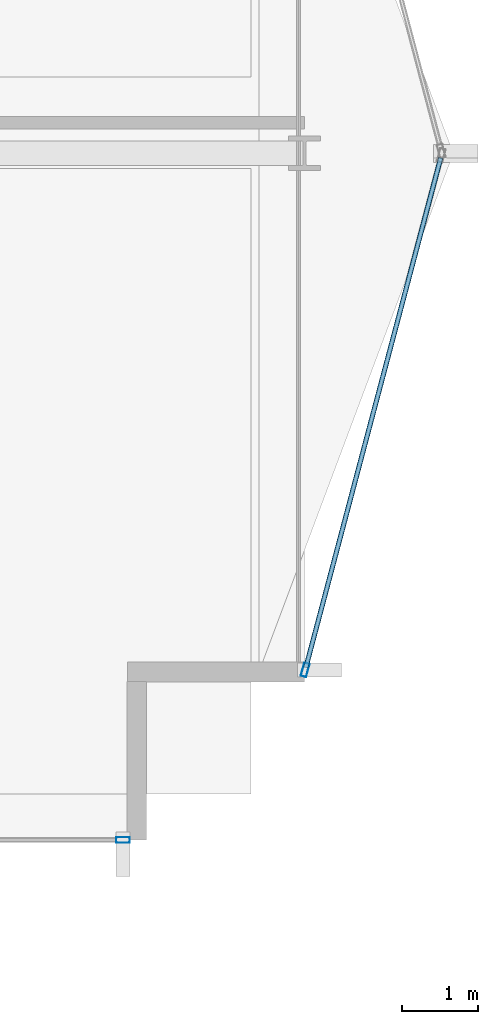
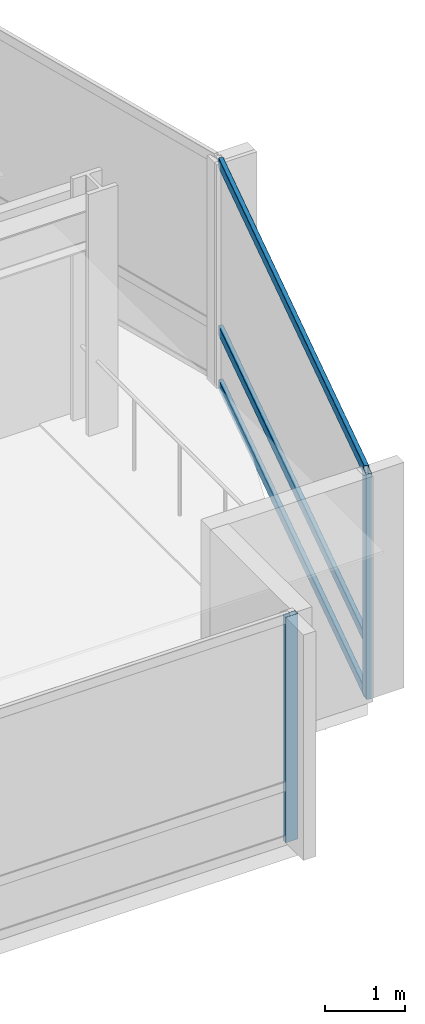
# One storey, part 11 of 28: 5 members, 2 elements without a shape of their own.
"""IFC4 building model written with IfcOpenShell, lengths in metres."""

from ifc_helpers import new_model, si_unit, direction, frame, origin, origin_2d, place, context, subcontext, project, spatial, hollow_rectangle, extrude, material, layer, layer_set, material_profile, profile_set, type_object, element, aggregate, save


model = new_model("IFC4")

# Units and contexts
model_context = context("Model", 3, precision=1e-05, world=origin(), true_north=direction((0.0, 1.0)))
body_context = subcontext(model_context, "Body", "Model", "MODEL_VIEW")
ifc_project = project(units=[si_unit("LENGTHUNIT", "METRE"), si_unit("AREAUNIT", "SQUARE_METRE"), si_unit("VOLUMEUNIT", "CUBIC_METRE"), si_unit("PLANEANGLEUNIT", "RADIAN"), si_unit("MASSUNIT", "GRAM", prefix="KILO")], contexts=[model_context])

# Site, building, storey
site_placement = place(None, origin())
site = spatial("IfcSite", under=ifc_project, at=site_placement, CompositionType="ELEMENT")
building_placement = place(site_placement, origin())
building = spatial("IfcBuilding", under=site, at=building_placement, Name="Solvaryn Broadcast Tower", CompositionType="ELEMENT")
storey_placement = place(building_placement, frame((0.0, 0.0, 135.89990234375)))
storey = spatial("IfcBuildingStorey", under=building, at=storey_placement, Name="L33", CompositionType="ELEMENT", Elevation=135.89990234375)

# Curtain wall, member
ifc_material_1 = material(Name="Aluminium and Terracotta Unitised Curtain Wall", Category="masonry")
ifc_layer = layer(ifc_material_1, 0.199951171875)
ifc_layer_set = layer_set([ifc_layer], Name="CW-SYS2-LOWMID")
curtain_wall_type = type_object("IfcCurtainWallType", Name="CW-SYS2-LOWMID", PredefinedType="NOTDEFINED", material=ifc_layer_set)
curtain_wall_1_placement = place(storey_placement, origin())
curtain_wall_1 = element("IfcCurtainWall", 1, at=curtain_wall_1_placement, inside=storey, type_object=curtain_wall_type, Name="L33 Curtain Wall S2", PredefinedType="NOTDEFINED")
ifc_material_2 = material(Name="Anodised Aluminium 6063-T6", Category="aluminium")
ifc_material_profile_1 = material_profile(ifc_material_2, hollow_rectangle(XDim=0.074951171875, YDim=0.179931640625, WallThickness=0.00390625, InnerFilletRadius=0.00390625, OuterFilletRadius=0.008056640625, at=origin_2d()))
ifc_profile_set_1 = profile_set([ifc_material_profile_1], Name="Anodised Aluminium 6063-T6")
member_type_1 = type_object("IfcMemberType", Name="CW-MUL-180", PredefinedType="MULLION", material=ifc_profile_set_1)
member_1_placement = place(storey_placement, frame((51.6201171875, 9.0, 0.0), z_axis=(0.0, 0.0, 1.0), x_axis=(0.0, 1.0, 0.0)))
member_1 = element("IfcMember", 2, at=member_1_placement, type_object=member_type_1, Name="CWS2 mullion 2", PredefinedType="MULLION", context=body_context, shape_type="SweptSolid", body=[
    extrude(hollow_rectangle(XDim=0.074951171875, YDim=0.179931640625, WallThickness=0.00390625, InnerFilletRadius=0.00390625, OuterFilletRadius=0.008056640625, at=origin_2d()), origin(), (0.0, 0.0, 1.0), 3.420166015625),
])
aggregate(curtain_wall_1, [member_1])

# Curtain wall, members
curtain_wall_2_placement = place(storey_placement, origin())
curtain_wall_2 = element("IfcCurtainWall", 3, at=curtain_wall_2_placement, inside=storey, type_object=curtain_wall_type, Name="L33 Curtain Wall ET2", PredefinedType="NOTDEFINED")
member_2_placement = place(storey_placement, frame((54.007568359375, 11.22900390625, 0.0), z_axis=(0.0, 0.0, 1.0), x_axis=(0.966705227863, -0.25589256031, 0.0)))
member_2 = element("IfcMember", 4, at=member_2_placement, type_object=member_type_1, Name="CWS2 mullion 2", PredefinedType="MULLION", context=body_context, shape_type="SweptSolid", body=[
    extrude(hollow_rectangle(XDim=0.074951171875, YDim=0.179931640625, WallThickness=0.00390625, InnerFilletRadius=0.00390625, OuterFilletRadius=0.008056640625, at=origin_2d()), origin(), (0.0, 0.0, 1.0), 3.420166015625),
])
ifc_material_3 = material(Name="Anodised Aluminium 6063-T6", Category="aluminium")
ifc_material_profile_2 = material_profile(ifc_material_3, hollow_rectangle(XDim=0.06494140625, YDim=0.14990234375, WallThickness=0.00390625, InnerFilletRadius=0.00390625, OuterFilletRadius=0.008056640625, at=origin_2d()))
ifc_profile_set_2 = profile_set([ifc_material_profile_2], Name="Anodised Aluminium 6063-T6")
member_type_2 = type_object("IfcMemberType", Name="CW-TRN-150", PredefinedType="USERDEFINED", material=ifc_profile_set_2)
member_3_placement = place(storey_placement, frame((55.78466796875, 17.94189453125, 0.030029296875), z_axis=(-0.255897413051, -0.966703943301, 0.0), x_axis=(0.966703943301, -0.255897413051, 0.0)))
member_3 = element("IfcMember", 5, at=member_3_placement, type_object=member_type_2, Name="CWS2 transom 1.1", ObjectType="TRANSOM", PredefinedType="USERDEFINED", context=body_context, shape_type="SweptSolid", body=[
    extrude(hollow_rectangle(XDim=0.06494140625, YDim=0.14990234375, WallThickness=0.00390625, InnerFilletRadius=0.00390625, OuterFilletRadius=0.008056640625, at=origin_2d()), origin(), (0.0, 0.0, 1.0), 6.9140625),
])
member_4_placement = place(storey_placement, frame((55.78466796875, 17.94189453125, 0.85009765625), z_axis=(-0.255897413051, -0.966703943301, 0.0), x_axis=(0.966703943301, -0.255897413051, 0.0)))
member_4 = element("IfcMember", 6, at=member_4_placement, type_object=member_type_2, Name="CWS2 transom 1.2", ObjectType="TRANSOM", PredefinedType="USERDEFINED", context=body_context, shape_type="SweptSolid", body=[
    extrude(hollow_rectangle(XDim=0.06494140625, YDim=0.14990234375, WallThickness=0.00390625, InnerFilletRadius=0.00390625, OuterFilletRadius=0.008056640625, at=origin_2d()), origin(), (0.0, 0.0, 1.0), 6.9140625),
])
member_5_placement = place(storey_placement, frame((55.78466796875, 17.94189453125, 3.39013671875), z_axis=(-0.255897413051, -0.966703943301, 0.0), x_axis=(0.966703943301, -0.255897413051, 0.0)))
member_5 = element("IfcMember", 7, at=member_5_placement, type_object=member_type_2, Name="CWS2 transom 1.3", ObjectType="TRANSOM", PredefinedType="USERDEFINED", context=body_context, shape_type="SweptSolid", body=[
    extrude(hollow_rectangle(XDim=0.06494140625, YDim=0.14990234375, WallThickness=0.00390625, InnerFilletRadius=0.00390625, OuterFilletRadius=0.008056640625, at=origin_2d()), origin(), (0.0, 0.0, 1.0), 6.9140625),
])
aggregate(curtain_wall_2, [member_2, member_3, member_4, member_5])

save(model, "model.ifc")
